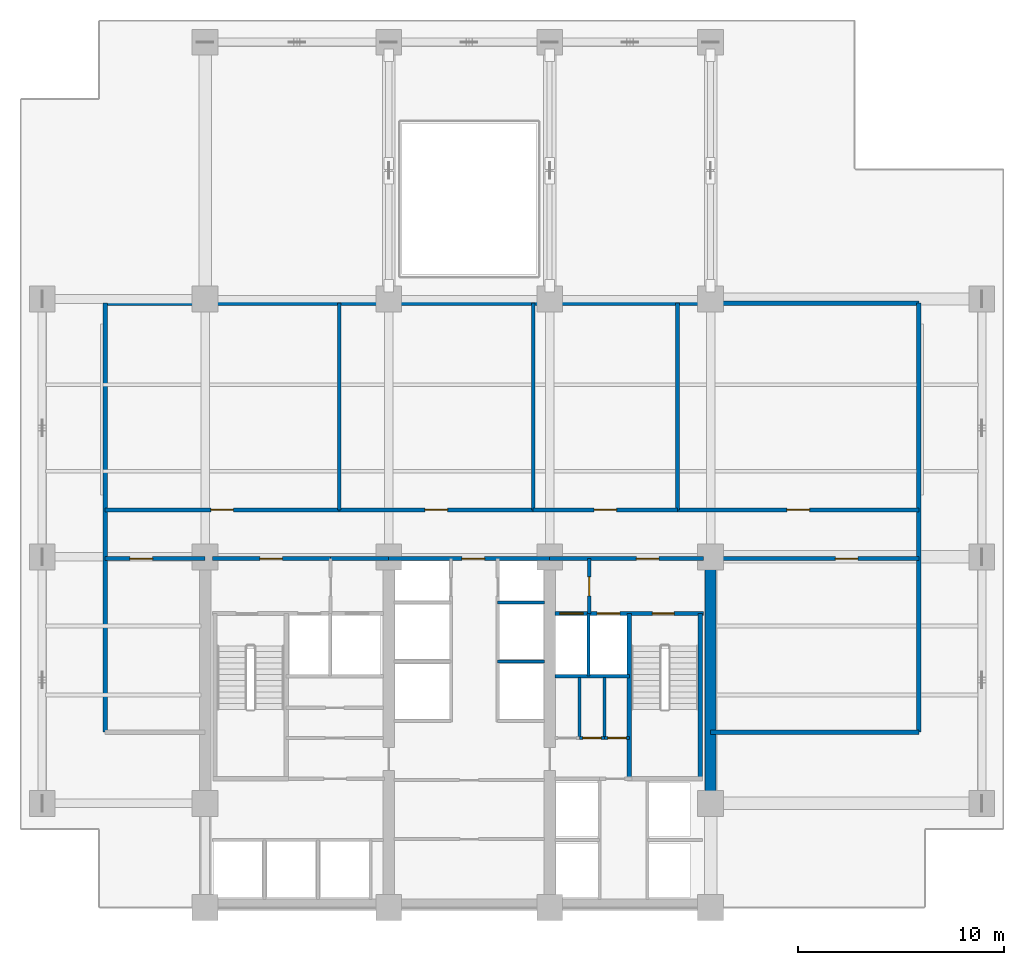
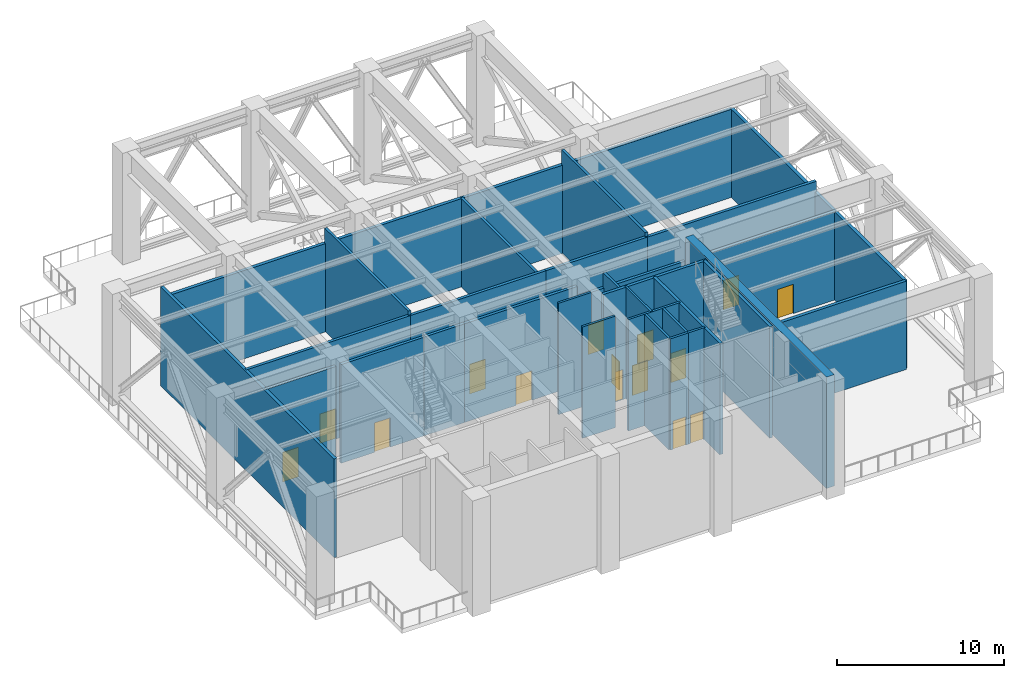
# One storey, part 4 of 7: 30 walls, 15 doors, 15 openings.
"""IFC4 building model written with IfcOpenShell, lengths in metres."""

from ifc_helpers import new_model, si_unit, direction, frame, frame_2d, origin, place, context, subcontext, project, spatial, rectangle, extrude, material, layer, layer_set, type_object, element, fill, save


model = new_model("IFC4")

# Units and contexts
model_context = context("Model", 3, precision=1e-05, world=origin(), true_north=direction((0.0, 1.0)))
body_context = subcontext(model_context, "Body", "Model", "MODEL_VIEW")
ifc_project = project(units=[si_unit("LENGTHUNIT", "METRE"), si_unit("AREAUNIT", "SQUARE_METRE"), si_unit("VOLUMEUNIT", "CUBIC_METRE"), si_unit("PLANEANGLEUNIT", "RADIAN"), si_unit("MASSUNIT", "GRAM", prefix="KILO")], contexts=[model_context])

# Site, building, storey
site_placement = place(None, origin())
site = spatial("IfcSite", under=ifc_project, at=site_placement, CompositionType="ELEMENT")
building_placement = place(site_placement, origin())
building = spatial("IfcBuilding", under=site, at=building_placement, Name="Qalmaran Belvedere Hotel", CompositionType="ELEMENT")
storey_placement = place(building_placement, frame((0.0, 0.0, 130.199951171875)))
storey = spatial("IfcBuildingStorey", under=building, at=storey_placement, Name="L33", CompositionType="ELEMENT", Elevation=130.199951171875)

# Walls
ifc_material_1 = material(Name="Concrete C60/75", Category="concrete")
ifc_layer_1 = layer(ifc_material_1, 0.550048828125, Name="Concrete C60/75")
ifc_layer_set_1 = layer_set([ifc_layer_1], Name="Concrete C60/75")
wall_type_1 = type_object("IfcWallType", Name="WL-CORE-550-C60", PredefinedType="SHEAR", material=ifc_layer_set_1)
wall_1_placement = place(storey_placement, frame((44.800048828125, 3.5, 0.0), z_axis=(0.0, 0.0, 1.0), x_axis=(0.0, 1.0, 0.0)))
element("IfcWall", 1, at=wall_1_placement, inside=storey, type_object=wall_type_1, Name="L33 East Core Shear Wall", PredefinedType="SHEAR", context=body_context, shape_type="SweptSolid", body=[
    extrude(rectangle(XDim=16.89990234375, YDim=0.550048828125, at=frame_2d((8.449951171875, 0.0))), origin(), (0.0, 0.0, 1.0), 8.150146484375),
])
ifc_material_2 = material(Name="Gypsum Stud Partition")
ifc_layer_2 = layer(ifc_material_2, 0.14990234375, Name="Gypsum Stud Partition")
ifc_layer_set_2 = layer_set([ifc_layer_2], Name="Gypsum Stud Partition")
wall_type_2 = type_object("IfcWallType", Name="WL-INT-150-EI120", PredefinedType="PARTITIONING", material=ifc_layer_set_2)
wall_2_placement = place(storey_placement, frame((38.8798828125, 14.719970703125, 0.0), z_axis=(0.0, 0.0, 1.0), x_axis=(0.0, 1.0, 0.0)))
element("IfcWall", 2, at=wall_2_placement, inside=storey, type_object=wall_type_2, Name="L33 Partition WL-FF2M-L33", PredefinedType="PARTITIONING", context=body_context, shape_type="SweptSolid", body=[
    extrude(rectangle(XDim=3.0400390625, YDim=0.14990234375, at=frame_2d((1.52001953125, 0.0))), origin(), (0.0, 0.0, 1.0), 8.150146484375),
])
for number, where, z_axis, x_axis, name in (
    (3, (34.47998046875, 15.419921875, 0.0), (0.0, 0.0, 1.0), (1.0, 0.0, 0.0), "L33 Partition WL-PME-L33-154"),
    (4, (34.47998046875, 18.280029296875, 0.0), (0.0, 0.0, 1.0), (1.0, 0.0, 0.0), "L33 Partition WL-PME-L33-182"),
):
    element("IfcWall", number, at=place(storey_placement, frame(where, z_axis=z_axis, x_axis=x_axis)), inside=storey, type_object=wall_type_2, Name=name, PredefinedType="PARTITIONING", context=body_context, shape_type="SweptSolid", body=[
        extrude(rectangle(XDim=2.27001953125, YDim=0.14990234375, at=frame_2d((1.135009765625, 0.0))), origin(), (0.0, 0.0, 1.0), 8.150146484375),
    ])
ifc_layer_3 = layer(ifc_material_2, 0.14990234375, Name="Gypsum Stud Partition")
ifc_layer_set_3 = layer_set([ifc_layer_3], Name="Gypsum Stud Partition")
wall_type_3 = type_object("IfcWallType", Name="WL-INT-150-EI60", PredefinedType="PARTITIONING", material=ifc_layer_set_3)
for number, where, z_axis, x_axis, name in (
    (5, (38.44140625, 11.719970703125, 0.0), (0.0, 0.0, 1.0), (0.0, 1.0, 0.0), "L33 Partition WL-L33-KEV1"),
    (6, (39.668701171875, 11.719970703125, 0.0), (0.0, 0.0, 1.0), (0.0, 1.0, 0.0), "L33 Partition WL-L33-KEV2"),
):
    element("IfcWall", number, at=place(storey_placement, frame(where, z_axis=z_axis, x_axis=x_axis)), inside=storey, type_object=wall_type_3, Name=name, PredefinedType="PARTITIONING", context=body_context, shape_type="SweptSolid", body=[
        extrude(rectangle(XDim=2.929931640625, YDim=0.14990234375, at=frame_2d((1.46484375, 0.0))), origin(), (0.0, 0.0, 1.0), 8.150146484375),
    ])

# Wall, opening, door
ifc_layer_4 = layer(ifc_material_2, 0.159912109375, Name="Gypsum Stud Partition")
ifc_layer_set_4 = layer_set([ifc_layer_4], Name="Gypsum Stud Partition")
wall_type_4 = type_object("IfcWallType", Name="WL-INT-160-EI120", PredefinedType="PARTITIONING", material=ifc_layer_set_4)
wall_3_placement = place(storey_placement, frame((38.919921875, 17.760009765625, 0.0), z_axis=(0.0, 0.0, 1.0), x_axis=(0.0, 1.0, 0.0)))
wall_3 = element("IfcWall", 7, at=wall_3_placement, inside=storey, type_object=wall_type_4, Name="L33 Partition WL-FFSV2-L33", PredefinedType="PARTITIONING", context=body_context, shape_type="SweptSolid", body=[
    extrude(rectangle(XDim=2.659912109375, YDim=0.159912109375, at=frame_2d((1.330078125, 0.0))), origin(), (0.0, 0.0, 1.0), 7.524169921875),
])
opening_1_placement = place(wall_3_placement, frame((1.77001953125, 0.0, 0.0), z_axis=(0.0, 0.0, 1.0), x_axis=(-1.0, 0.0, 0.0)))
opening_1 = element("IfcOpeningElement", 8, at=opening_1_placement, cuts=wall_3, Name="Opening FD60S1", PredefinedType="OPENING", context=body_context, shape_type="SweptSolid", body=[
    extrude(rectangle(XDim=0.919921875, YDim=2.080078125, at=frame_2d((0.4599609375, 1.0400390625))), frame((0.0, 0.08984375, 0.0), z_axis=(0.0, -1.0, 0.0), x_axis=(1.0, 0.0, 0.0)), (0.0, 0.0, 1.0), 0.179931640625),
])
ifc_material_3 = material(Name="Engineered Oak Veneer")
door_type_1 = type_object("IfcDoorType", Name="DR-FD60S-920X2080", OperationType="NOTDEFINED", PredefinedType="DOOR", material=ifc_material_3)
door_1_placement = place(opening_1_placement, origin())
door_1 = element("IfcDoor", 9, at=door_1_placement, inside=storey, type_object=door_type_1, Name="L33 Service Lobby East Door", OperationType="SINGLE_SWING_LEFT", OverallHeight=2.080078125, OverallWidth=0.919921875, PredefinedType="DOOR", context=body_context, shape_type="SweptSolid", body=[
    extrude(rectangle(XDim=0.919921875, YDim=2.080078125, at=frame_2d((0.4599609375, 1.0400390625))), frame((0.0, 0.02490234375, 0.0), z_axis=(0.0, -1.0, 0.0), x_axis=(1.0, 0.0, 0.0)), (0.0, 0.0, 1.0), 0.050048828125),
])
fill(opening_1, door_1)

# Wall
wall_4_placement = place(storey_placement, frame((37.25, 14.719970703125, 0.0), z_axis=(0.0, 0.0, 1.0), x_axis=(1.0, 0.0, 0.0)))
element("IfcWall", 10, at=wall_4_placement, inside=storey, type_object=wall_type_4, Name="L33 Partition WL-FF2S-L33", PredefinedType="PARTITIONING", context=body_context, shape_type="SweptSolid", body=[
    extrude(rectangle(XDim=3.610107421875, YDim=0.159912109375, at=frame_2d((1.80517578125, 0.0))), origin(), (0.0, 0.0, 1.0), 8.150146484375),
])

# Wall, opening, door
ifc_layer_5 = layer(ifc_material_2, 0.159912109375, Name="Gypsum Stud Partition")
ifc_layer_set_5 = layer_set([ifc_layer_5], Name="Gypsum Stud Partition")
wall_type_5 = type_object("IfcWallType", Name="WL-INT-160-EI60", PredefinedType="PARTITIONING", material=ifc_layer_set_5)
wall_5_placement = place(storey_placement, frame((38.44140625, 11.719970703125, 0.0), z_axis=(0.0, 0.0, 1.0), x_axis=(1.0, 0.0, 0.0)))
wall_5 = element("IfcWall", 11, at=wall_5_placement, inside=storey, type_object=wall_type_5, Name="L33 Partition WL-L33-KEE2", PredefinedType="PARTITIONING", context=body_context, shape_type="SweptSolid", body=[
    extrude(rectangle(XDim=1.227294921875, YDim=0.159912109375, at=frame_2d((0.61376953125, 0.0))), origin(), (0.0, 0.0, 1.0), 8.150146484375),
])
opening_2_placement = place(wall_5_placement, frame((0.173583984375, 0.0, 0.0)))
opening_2 = element("IfcOpeningElement", 12, at=opening_2_placement, cuts=wall_5, Name="Opening FD60B", PredefinedType="OPENING", context=body_context, shape_type="SweptSolid", body=[
    extrude(rectangle(XDim=0.8798828125, YDim=2.080078125, at=frame_2d((0.43994140625, 1.0400390625))), frame((0.0, 0.08984375, 0.0), z_axis=(0.0, -1.0, 0.0), x_axis=(1.0, 0.0, 0.0)), (0.0, 0.0, 1.0), 0.179931640625),
])
ifc_material_4 = material(Name="Steel S355JR", Category="steel")
door_type_2 = type_object("IfcDoorType", Name="DR-FD60B-880X2080", OperationType="NOTDEFINED", PredefinedType="DOOR", material=ifc_material_4)
door_2_placement = place(opening_2_placement, origin())
door_2 = element("IfcDoor", 13, at=door_2_placement, inside=storey, type_object=door_type_2, Name="L33 Smoke Control Plant Room Door", OperationType="SINGLE_SWING_RIGHT", OverallHeight=2.080078125, OverallWidth=0.8798828125, PredefinedType="DOOR", context=body_context, shape_type="SweptSolid", body=[
    extrude(rectangle(XDim=0.8798828125, YDim=2.080078125, at=frame_2d((0.43994140625, 1.0400390625))), frame((0.0, 0.02490234375, 0.0), z_axis=(0.0, -1.0, 0.0), x_axis=(1.0, 0.0, 0.0)), (0.0, 0.0, 1.0), 0.050048828125),
])
fill(opening_2, door_2)

wall_6_placement = place(storey_placement, frame((39.668701171875, 11.719970703125, 0.0), z_axis=(0.0, 0.0, 1.0), x_axis=(1.0, 0.0, 0.0)))
wall_6 = element("IfcWall", 14, at=wall_6_placement, inside=storey, type_object=wall_type_5, Name="L33 Partition WL-L33-KEE3", PredefinedType="PARTITIONING", context=body_context, shape_type="SweptSolid", body=[
    extrude(rectangle(XDim=1.19140625, YDim=0.159912109375, at=frame_2d((0.595703125, 0.0))), origin(), (0.0, 0.0, 1.0), 8.150146484375),
])
opening_3_placement = place(wall_6_placement, frame((0.155517578125, 0.0, 0.0)))
opening_3 = element("IfcOpeningElement", 15, at=opening_3_placement, cuts=wall_6, Name="Opening FD60B", PredefinedType="OPENING", context=body_context, shape_type="SweptSolid", body=[
    extrude(rectangle(XDim=0.8798828125, YDim=2.080078125, at=frame_2d((0.43994140625, 1.0400390625))), frame((0.0, 0.08984375, 0.0), z_axis=(0.0, -1.0, 0.0), x_axis=(1.0, 0.0, 0.0)), (0.0, 0.0, 1.0), 0.179931640625),
])
door_3_placement = place(opening_3_placement, origin())
door_3 = element("IfcDoor", 16, at=door_3_placement, inside=storey, type_object=door_type_2, Name="L33 Low Voltage Switch Plant Room Door", OperationType="SINGLE_SWING_LEFT", OverallHeight=2.080078125, OverallWidth=0.8798828125, PredefinedType="DOOR", context=body_context, shape_type="SweptSolid", body=[
    extrude(rectangle(XDim=0.8798828125, YDim=2.080078125, at=frame_2d((0.43994140625, 1.0400390625))), frame((0.0, 0.02490234375, 0.0), z_axis=(0.0, -1.0, 0.0), x_axis=(1.0, 0.0, 0.0)), (0.0, 0.0, 1.0), 0.050048828125),
])
fill(opening_3, door_3)

# Walls
ifc_layer_6 = layer(ifc_material_2, 0.179931640625, Name="Gypsum Stud Partition")
ifc_layer_set_6 = layer_set([ifc_layer_6], Name="Gypsum Stud Partition")
wall_type_6 = type_object("IfcWallType", Name="WL-INT-180-EI120", PredefinedType="PARTITIONING", material=ifc_layer_set_6)
wall_7_placement = place(storey_placement, frame((26.800048828125, 22.780029296875, 0.0), z_axis=(0.0, 0.0, 1.0), x_axis=(0.0, 1.0, 0.0)))
element("IfcWall", 17, at=wall_7_placement, inside=storey, type_object=wall_type_6, Name="L33 Partition WL-L33-PV1", PredefinedType="PARTITIONING", context=body_context, shape_type="SweptSolid", body=[
    extrude(rectangle(XDim=10.02001953125, YDim=0.179931640625, at=frame_2d((5.010009765625, 0.0))), origin(), (0.0, 0.0, 1.0), 7.524169921875),
])
wall_8_placement = place(storey_placement, frame((36.199951171875, 22.780029296875, 0.0), z_axis=(0.0, 0.0, 1.0), x_axis=(0.0, 1.0, 0.0)))
element("IfcWall", 18, at=wall_8_placement, inside=storey, type_object=wall_type_6, Name="L33 Partition WL-L33-PV2", PredefinedType="PARTITIONING", context=body_context, shape_type="SweptSolid", body=[
    extrude(rectangle(XDim=10.02001953125, YDim=0.179931640625, at=frame_2d((5.010009765625, 0.0))), origin(), (0.0, 0.0, 1.0), 6.455078125),
])
wall_9_placement = place(storey_placement, frame((43.199951171875, 22.780029296875, 0.0), z_axis=(0.0, 0.0, 1.0), x_axis=(0.0, 1.0, 0.0)))
element("IfcWall", 19, at=wall_9_placement, inside=storey, type_object=wall_type_6, Name="L33 Partition WL-L33-PV3", PredefinedType="PARTITIONING", context=body_context, shape_type="SweptSolid", body=[
    extrude(rectangle(XDim=10.02001953125, YDim=0.179931640625, at=frame_2d((5.010009765625, 0.0))), origin(), (0.0, 0.0, 1.0), 7.524169921875),
])

# Wall, opening, door
ifc_material_5 = material(Name="Concrete C30/37 Blockwork", Category="masonry")
ifc_layer_7 = layer(ifc_material_5, 0.199951171875, Name="Concrete C30/37 Blockwork")
ifc_layer_set_7 = layer_set([ifc_layer_7], Name="Concrete C30/37 Blockwork")
wall_type_7 = type_object("IfcWallType", Name="WL-INT-200-EI120", PredefinedType="PARTITIONING", material=ifc_layer_set_7)
wall_10_placement = place(storey_placement, frame((20.64990234375, 20.419921875, 0.0), z_axis=(0.0, 0.0, 1.0), x_axis=(1.0, 0.0, 0.0)))
wall_10 = element("IfcWall", 20, at=wall_10_placement, inside=storey, type_object=wall_type_7, Name="L33 Partition WL-CN1A-L33", PredefinedType="PARTITIONING", context=body_context, shape_type="SweptSolid", body=[
    extrude(rectangle(XDim=5.72998046875, YDim=0.199951171875, at=frame_2d((2.864990234375, 0.0))), origin(), (0.0, 0.0, 1.0), 7.22314453125),
])
opening_4_placement = place(wall_10_placement, frame((2.300048828125, 0.0, 0.0)))
opening_4 = element("IfcOpeningElement", 21, at=opening_4_placement, cuts=wall_10, Name="Opening FD90", PredefinedType="OPENING", context=body_context, shape_type="SweptSolid", body=[
    extrude(rectangle(XDim=1.10009765625, YDim=2.14990234375, at=frame_2d((0.550048828125, 1.074951171875))), frame((0.0, 0.10986328125, 0.0), z_axis=(0.0, -1.0, 0.0), x_axis=(1.0, 0.0, 0.0)), (0.0, 0.0, 1.0), 0.219970703125),
])
door_type_3 = type_object("IfcDoorType", Name="DR-FD90-1100X2150", OperationType="NOTDEFINED", PredefinedType="DOOR", material=ifc_material_4)
door_4_placement = place(opening_4_placement, origin())
door_4 = element("IfcDoor", 22, at=door_4_placement, inside=storey, type_object=door_type_3, Name="L33 FF1 Lobby Corridor Door", OperationType="SINGLE_SWING_RIGHT", OverallHeight=2.14990234375, OverallWidth=1.10009765625, PredefinedType="DOOR", context=body_context, shape_type="SweptSolid", body=[
    extrude(rectangle(XDim=1.10009765625, YDim=2.14990234375, at=frame_2d((0.550048828125, 1.074951171875))), frame((0.0, 0.02490234375, 0.0), z_axis=(0.0, -1.0, 0.0), x_axis=(1.0, 0.0, 0.0)), (0.0, 0.0, 1.0), 0.050048828125),
])
fill(opening_4, door_4)

# Wall
wall_11_placement = place(storey_placement, frame((26.3798828125, 20.419921875, 0.0), z_axis=(0.0, 0.0, 1.0), x_axis=(1.0, 0.0, 0.0)))
element("IfcWall", 23, at=wall_11_placement, inside=storey, type_object=wall_type_7, Name="L33 Partition WL-CN1B-L33", PredefinedType="PARTITIONING", context=body_context, shape_type="SweptSolid", body=[
    extrude(rectangle(XDim=2.820068359375, YDim=0.199951171875, at=frame_2d((1.41015625, 0.0))), origin(), (0.0, 0.0, 1.0), 7.22314453125),
])

# Wall, opening, door
wall_12_placement = place(storey_placement, frame((29.199951171875, 20.419921875, 0.0), z_axis=(0.0, 0.0, 1.0), x_axis=(1.0, 0.0, 0.0)))
wall_12 = element("IfcWall", 24, at=wall_12_placement, inside=storey, type_object=wall_type_7, Name="L33 Partition WL-CN2-L33", PredefinedType="PARTITIONING", context=body_context, shape_type="SweptSolid", body=[
    extrude(rectangle(XDim=7.800048828125, YDim=0.199951171875, at=frame_2d((3.89990234375, 0.0))), origin(), (0.0, 0.0, 1.0), 7.22314453125),
])
opening_5_placement = place(wall_12_placement, frame((3.550048828125, 0.0, 0.0)))
opening_5 = element("IfcOpeningElement", 25, at=opening_5_placement, cuts=wall_12, Name="Opening FD90", PredefinedType="OPENING", context=body_context, shape_type="SweptSolid", body=[
    extrude(rectangle(XDim=1.10009765625, YDim=2.14990234375, at=frame_2d((0.550048828125, 1.074951171875))), frame((0.0, 0.10986328125, 0.0), z_axis=(0.0, -1.0, 0.0), x_axis=(1.0, 0.0, 0.0)), (0.0, 0.0, 1.0), 0.219970703125),
])
door_5_placement = place(opening_5_placement, origin())
door_5 = element("IfcDoor", 26, at=door_5_placement, inside=storey, type_object=door_type_3, Name="L33 Central Lift Lobby Door", OperationType="SINGLE_SWING_LEFT", OverallHeight=2.14990234375, OverallWidth=1.10009765625, PredefinedType="DOOR", context=body_context, shape_type="SweptSolid", body=[
    extrude(rectangle(XDim=1.10009765625, YDim=2.14990234375, at=frame_2d((0.550048828125, 1.074951171875))), frame((0.0, 0.02490234375, 0.0), z_axis=(0.0, -1.0, 0.0), x_axis=(1.0, 0.0, 0.0)), (0.0, 0.0, 1.0), 0.050048828125),
])
fill(opening_5, door_5)

wall_13_placement = place(storey_placement, frame((37.0, 20.419921875, 0.0), z_axis=(0.0, 0.0, 1.0), x_axis=(1.0, 0.0, 0.0)))
wall_13 = element("IfcWall", 27, at=wall_13_placement, inside=storey, type_object=wall_type_7, Name="L33 Partition WL-CN3-L33", PredefinedType="PARTITIONING", context=body_context, shape_type="SweptSolid", body=[
    extrude(rectangle(XDim=7.449951171875, YDim=0.199951171875, at=frame_2d((3.72509765625, 0.0))), origin(), (0.0, 0.0, 1.0), 6.455078125),
])
opening_6_placement = place(wall_13_placement, frame((4.199951171875, 0.0, 0.0)))
opening_6 = element("IfcOpeningElement", 28, at=opening_6_placement, cuts=wall_13, Name="Opening FD90", PredefinedType="OPENING", context=body_context, shape_type="SweptSolid", body=[
    extrude(rectangle(XDim=1.10009765625, YDim=2.14990234375, at=frame_2d((0.550048828125, 1.074951171875))), frame((0.0, 0.10986328125, 0.0), z_axis=(0.0, -1.0, 0.0), x_axis=(1.0, 0.0, 0.0)), (0.0, 0.0, 1.0), 0.219970703125),
])
door_6_placement = place(opening_6_placement, origin())
door_6 = element("IfcDoor", 29, at=door_6_placement, inside=storey, type_object=door_type_3, Name="L33 FF2 Lobby Corridor Door", OperationType="SINGLE_SWING_RIGHT", OverallHeight=2.14990234375, OverallWidth=1.10009765625, PredefinedType="DOOR", context=body_context, shape_type="SweptSolid", body=[
    extrude(rectangle(XDim=1.10009765625, YDim=2.14990234375, at=frame_2d((0.550048828125, 1.074951171875))), frame((0.0, 0.02490234375, 0.0), z_axis=(0.0, -1.0, 0.0), x_axis=(1.0, 0.0, 0.0)), (0.0, 0.0, 1.0), 0.050048828125),
])
fill(opening_6, door_6)

wall_14_placement = place(storey_placement, frame((15.449951171875, 20.419921875, 0.0), z_axis=(0.0, 0.0, 1.0), x_axis=(1.0, 0.0, 0.0)))
wall_14 = element("IfcWall", 30, at=wall_14_placement, inside=storey, type_object=wall_type_7, Name="L33 Partition WL-L33-RFW", PredefinedType="PARTITIONING", context=body_context, shape_type="SweptSolid", body=[
    extrude(rectangle(XDim=4.85009765625, YDim=0.199951171875, at=frame_2d((2.425048828125, 0.0))), origin(), (0.0, 0.0, 1.0), 7.22314453125),
])
opening_7_placement = place(wall_14_placement, frame((2.300048828125, 0.0, 0.0), z_axis=(0.0, 0.0, 1.0), x_axis=(-1.0, 0.0, 0.0)))
opening_7 = element("IfcOpeningElement", 31, at=opening_7_placement, cuts=wall_14, Name="Opening FD90", PredefinedType="OPENING", context=body_context, shape_type="SweptSolid", body=[
    extrude(rectangle(XDim=1.10009765625, YDim=2.14990234375, at=frame_2d((0.550048828125, 1.074951171875))), frame((0.0, 0.10986328125, 0.0), z_axis=(0.0, -1.0, 0.0), x_axis=(1.0, 0.0, 0.0)), (0.0, 0.0, 1.0), 0.219970703125),
])
door_7_placement = place(opening_7_placement, origin())
door_7 = element("IfcDoor", 32, at=door_7_placement, inside=storey, type_object=door_type_3, Name="L33 Refuge West Door", OperationType="SINGLE_SWING_RIGHT", OverallHeight=2.14990234375, OverallWidth=1.10009765625, PredefinedType="DOOR", context=body_context, shape_type="SweptSolid", body=[
    extrude(rectangle(XDim=1.10009765625, YDim=2.14990234375, at=frame_2d((0.550048828125, 1.074951171875))), frame((0.0, 0.02490234375, 0.0), z_axis=(0.0, -1.0, 0.0), x_axis=(1.0, 0.0, 0.0)), (0.0, 0.0, 1.0), 0.050048828125),
])
fill(opening_7, door_7)

wall_15_placement = place(storey_placement, frame((44.800048828125, 20.419921875, 0.0), z_axis=(0.0, 0.0, 1.0), x_axis=(1.0, 0.0, 0.0)))
wall_15 = element("IfcWall", 33, at=wall_15_placement, inside=storey, type_object=wall_type_7, Name="L33 Partition WL-L33-RFE", PredefinedType="PARTITIONING", context=body_context, shape_type="SweptSolid", body=[
    extrude(rectangle(XDim=10.099853515625, YDim=0.199951171875, at=frame_2d((5.0498046875, 0.0))), origin(), (0.0, 0.0, 1.0), 6.455078125),
])
opening_8_placement = place(wall_15_placement, frame((7.145751953125, 0.0, 0.0), z_axis=(0.0, 0.0, 1.0), x_axis=(-1.0, 0.0, 0.0)))
opening_8 = element("IfcOpeningElement", 34, at=opening_8_placement, cuts=wall_15, Name="Opening FD90", PredefinedType="OPENING", context=body_context, shape_type="SweptSolid", body=[
    extrude(rectangle(XDim=1.10009765625, YDim=2.14990234375, at=frame_2d((0.550048828125, 1.074951171875))), frame((0.0, 0.10986328125, 0.0), z_axis=(0.0, -1.0, 0.0), x_axis=(1.0, 0.0, 0.0)), (0.0, 0.0, 1.0), 0.219970703125),
])
door_8_placement = place(opening_8_placement, origin())
door_8 = element("IfcDoor", 35, at=door_8_placement, inside=storey, type_object=door_type_3, Name="L33 Refuge East Door", OperationType="SINGLE_SWING_LEFT", OverallHeight=2.14990234375, OverallWidth=1.10009765625, PredefinedType="DOOR", context=body_context, shape_type="SweptSolid", body=[
    extrude(rectangle(XDim=1.10009765625, YDim=2.14990234375, at=frame_2d((0.550048828125, 1.074951171875))), frame((0.0, 0.02490234375, 0.0), z_axis=(0.0, -1.0, 0.0), x_axis=(1.0, 0.0, 0.0)), (0.0, 0.0, 1.0), 0.050048828125),
])
fill(opening_8, door_8)

wall_16_placement = place(storey_placement, frame((15.449951171875, 22.780029296875, 0.0), z_axis=(0.0, 0.0, 1.0), x_axis=(1.0, 0.0, 0.0)))
wall_16 = element("IfcWall", 36, at=wall_16_placement, inside=storey, type_object=wall_type_7, Name="L33 Partition WL-L33-PCN1", PredefinedType="PARTITIONING", context=body_context, shape_type="SweptSolid", body=[
    extrude(rectangle(XDim=11.35009765625, YDim=0.199951171875, at=frame_2d((5.675048828125, 0.0))), origin(), (0.0, 0.0, 1.0), 7.22314453125),
])
opening_9_placement = place(wall_16_placement, frame((5.125, 0.0, 0.0)))
opening_9 = element("IfcOpeningElement", 37, at=opening_9_placement, cuts=wall_16, Name="Opening FD90", PredefinedType="OPENING", context=body_context, shape_type="SweptSolid", body=[
    extrude(rectangle(XDim=1.10009765625, YDim=2.14990234375, at=frame_2d((0.550048828125, 1.074951171875))), frame((0.0, 0.10986328125, 0.0), z_axis=(0.0, -1.0, 0.0), x_axis=(1.0, 0.0, 0.0)), (0.0, 0.0, 1.0), 0.219970703125),
])
door_9_placement = place(opening_9_placement, origin())
door_9 = element("IfcDoor", 38, at=door_9_placement, inside=storey, type_object=door_type_3, Name="L33 District Cooling Heat Exchanger Plant Room Door", OperationType="SINGLE_SWING_RIGHT", OverallHeight=2.14990234375, OverallWidth=1.10009765625, PredefinedType="DOOR", context=body_context, shape_type="SweptSolid", body=[
    extrude(rectangle(XDim=1.10009765625, YDim=2.14990234375, at=frame_2d((0.550048828125, 1.074951171875))), frame((0.0, 0.02490234375, 0.0), z_axis=(0.0, -1.0, 0.0), x_axis=(1.0, 0.0, 0.0)), (0.0, 0.0, 1.0), 0.050048828125),
])
fill(opening_9, door_9)

wall_17_placement = place(storey_placement, frame((26.800048828125, 22.780029296875, 0.0), z_axis=(0.0, 0.0, 1.0), x_axis=(1.0, 0.0, 0.0)))
wall_17 = element("IfcWall", 39, at=wall_17_placement, inside=storey, type_object=wall_type_7, Name="L33 Partition WL-L33-PCN2", PredefinedType="PARTITIONING", context=body_context, shape_type="SweptSolid", body=[
    extrude(rectangle(XDim=9.39990234375, YDim=0.199951171875, at=frame_2d((4.699951171875, 0.0))), origin(), (0.0, 0.0, 1.0), 7.22314453125),
])
opening_10_placement = place(wall_17_placement, frame((4.14990234375, 0.0, 0.0)))
opening_10 = element("IfcOpeningElement", 40, at=opening_10_placement, cuts=wall_17, Name="Opening FD90", PredefinedType="OPENING", context=body_context, shape_type="SweptSolid", body=[
    extrude(rectangle(XDim=1.10009765625, YDim=2.14990234375, at=frame_2d((0.550048828125, 1.074951171875))), frame((0.0, 0.10986328125, 0.0), z_axis=(0.0, -1.0, 0.0), x_axis=(1.0, 0.0, 0.0)), (0.0, 0.0, 1.0), 0.219970703125),
])
door_10_placement = place(opening_10_placement, origin())
door_10 = element("IfcDoor", 41, at=door_10_placement, inside=storey, type_object=door_type_3, Name="L33 Supply and Extract AHU Plant Room Door", OperationType="SINGLE_SWING_LEFT", OverallHeight=2.14990234375, OverallWidth=1.10009765625, PredefinedType="DOOR", context=body_context, shape_type="SweptSolid", body=[
    extrude(rectangle(XDim=1.10009765625, YDim=2.14990234375, at=frame_2d((0.550048828125, 1.074951171875))), frame((0.0, 0.02490234375, 0.0), z_axis=(0.0, -1.0, 0.0), x_axis=(1.0, 0.0, 0.0)), (0.0, 0.0, 1.0), 0.050048828125),
])
fill(opening_10, door_10)

wall_18_placement = place(storey_placement, frame((36.199951171875, 22.780029296875, 0.0), z_axis=(0.0, 0.0, 1.0), x_axis=(1.0, 0.0, 0.0)))
wall_18 = element("IfcWall", 42, at=wall_18_placement, inside=storey, type_object=wall_type_7, Name="L33 Partition WL-L33-PCN3", PredefinedType="PARTITIONING", context=body_context, shape_type="SweptSolid", body=[
    extrude(rectangle(XDim=7.0, YDim=0.199951171875, at=frame_2d((3.5, 0.0))), origin(), (0.0, 0.0, 1.0), 7.22314453125),
])
opening_11_placement = place(wall_18_placement, frame((2.949951171875, 0.0, 0.0)))
opening_11 = element("IfcOpeningElement", 43, at=opening_11_placement, cuts=wall_18, Name="Opening FD90", PredefinedType="OPENING", context=body_context, shape_type="SweptSolid", body=[
    extrude(rectangle(XDim=1.10009765625, YDim=2.14990234375, at=frame_2d((0.550048828125, 1.074951171875))), frame((0.0, 0.10986328125, 0.0), z_axis=(0.0, -1.0, 0.0), x_axis=(1.0, 0.0, 0.0)), (0.0, 0.0, 1.0), 0.219970703125),
])
door_11_placement = place(opening_11_placement, origin())
door_11 = element("IfcDoor", 44, at=door_11_placement, inside=storey, type_object=door_type_3, Name="L33 Domestic and Fire Booster Pump Plant Room Door", OperationType="SINGLE_SWING_RIGHT", OverallHeight=2.14990234375, OverallWidth=1.10009765625, PredefinedType="DOOR", context=body_context, shape_type="SweptSolid", body=[
    extrude(rectangle(XDim=1.10009765625, YDim=2.14990234375, at=frame_2d((0.550048828125, 1.074951171875))), frame((0.0, 0.02490234375, 0.0), z_axis=(0.0, -1.0, 0.0), x_axis=(1.0, 0.0, 0.0)), (0.0, 0.0, 1.0), 0.050048828125),
])
fill(opening_11, door_11)

wall_19_placement = place(storey_placement, frame((43.199951171875, 22.780029296875, 0.0), z_axis=(0.0, 0.0, 1.0), x_axis=(1.0, 0.0, 0.0)))
wall_19 = element("IfcWall", 45, at=wall_19_placement, inside=storey, type_object=wall_type_7, Name="L33 Partition WL-L33-PCN4", PredefinedType="PARTITIONING", context=body_context, shape_type="SweptSolid", body=[
    extrude(rectangle(XDim=11.699951171875, YDim=0.199951171875, at=frame_2d((5.85009765625, 0.0))), origin(), (0.0, 0.0, 1.0), 7.22314453125),
])
opening_12_placement = place(wall_19_placement, frame((5.300048828125, 0.0, 0.0)))
opening_12 = element("IfcOpeningElement", 46, at=opening_12_placement, cuts=wall_19, Name="Opening FD90", PredefinedType="OPENING", context=body_context, shape_type="SweptSolid", body=[
    extrude(rectangle(XDim=1.10009765625, YDim=2.14990234375, at=frame_2d((0.550048828125, 1.074951171875))), frame((0.0, 0.10986328125, 0.0), z_axis=(0.0, -1.0, 0.0), x_axis=(1.0, 0.0, 0.0)), (0.0, 0.0, 1.0), 0.219970703125),
])
door_12_placement = place(opening_12_placement, origin())
door_12 = element("IfcDoor", 47, at=door_12_placement, inside=storey, type_object=door_type_3, Name="L33 HV Transformer Substation Plant Room Door", OperationType="SINGLE_SWING_LEFT", OverallHeight=2.14990234375, OverallWidth=1.10009765625, PredefinedType="DOOR", context=body_context, shape_type="SweptSolid", body=[
    extrude(rectangle(XDim=1.10009765625, YDim=2.14990234375, at=frame_2d((0.550048828125, 1.074951171875))), frame((0.0, 0.02490234375, 0.0), z_axis=(0.0, -1.0, 0.0), x_axis=(1.0, 0.0, 0.0)), (0.0, 0.0, 1.0), 0.050048828125),
])
fill(opening_12, door_12)

# Walls
ifc_layer_8 = layer(ifc_material_5, 0.219970703125, Name="Concrete C30/37 Blockwork")
ifc_layer_set_8 = layer_set([ifc_layer_8], Name="Concrete C30/37 Blockwork")
wall_type_8 = type_object("IfcWallType", Name="WL-INT-220-EI120", PredefinedType="PARTITIONING", material=ifc_layer_set_8)
wall_20_placement = place(storey_placement, frame((15.449951171875, 12.0, 0.0), z_axis=(0.0, 0.0, 1.0), x_axis=(0.0, 1.0, 0.0)))
element("IfcWall", 48, at=wall_20_placement, inside=storey, type_object=wall_type_8, Name="L33 Partition WL-L33-PRW", PredefinedType="PARTITIONING", context=body_context, shape_type="SweptSolid", body=[
    extrude(rectangle(XDim=20.800048828125, YDim=0.219970703125, at=frame_2d((10.39990234375, 0.0))), origin(), (0.0, 0.0, 1.0), 7.22314453125),
])
wall_21_placement = place(storey_placement, frame((54.89990234375, 12.0, 0.0), z_axis=(0.0, 0.0, 1.0), x_axis=(0.0, 1.0, 0.0)))
element("IfcWall", 49, at=wall_21_placement, inside=storey, type_object=wall_type_8, Name="L33 Partition WL-L33-PRE", PredefinedType="PARTITIONING", context=body_context, shape_type="SweptSolid", body=[
    extrude(rectangle(XDim=20.800048828125, YDim=0.219970703125, at=frame_2d((10.39990234375, 0.0))), origin(), (0.0, 0.0, 1.0), 6.455078125),
])
wall_22_placement = place(storey_placement, frame((44.800048828125, 12.0, 0.0), z_axis=(0.0, 0.0, 1.0), x_axis=(1.0, 0.0, 0.0)))
element("IfcWall", 50, at=wall_22_placement, inside=storey, type_object=wall_type_8, Name="L33 Partition WL-L33-PRSE", PredefinedType="PARTITIONING", context=body_context, shape_type="SweptSolid", body=[
    extrude(rectangle(XDim=10.099853515625, YDim=0.219970703125, at=frame_2d((5.0498046875, 0.0))), origin(), (0.0, 0.0, 1.0), 6.455078125),
])
wall_23_placement = place(storey_placement, frame((15.449951171875, 32.800048828125, 0.0), z_axis=(0.0, 0.0, 1.0), x_axis=(1.0, 0.0, 0.0)))
element("IfcWall", 51, at=wall_23_placement, inside=storey, type_object=wall_type_8, Name="L33 Partition WL-L33-PRN", PredefinedType="PARTITIONING", context=body_context, shape_type="SweptSolid", body=[
    extrude(rectangle(XDim=39.449951171875, YDim=0.219970703125, at=frame_2d((19.72509765625, 0.0))), origin(), (0.0, 0.0, 1.0), 6.455078125),
])
ifc_material_6 = material(Name="Concrete C50/60", Category="concrete")
ifc_layer_9 = layer(ifc_material_6, 0.2099609375, Name="Concrete C50/60")
ifc_layer_set_9 = layer_set([ifc_layer_9], Name="Concrete C50/60")
wall_type_9 = type_object("IfcWallType", Name="WL-STAIR-210-C50", PredefinedType="SHEAR", material=ifc_layer_set_9)
for number, where, z_axis, x_axis, name in (
    (52, (40.85498046875, 9.7451171875, 0.0), (0.0, 0.0, 1.0), (0.0, 1.0, 0.0), "L33 Stair ST-2 West Bearing Wall"),
    (53, (44.304931640625, 9.7451171875, 0.0), (0.0, 0.0, 1.0), (0.0, 1.0, 0.0), "L33 Stair ST-2 East Bearing Wall"),
):
    element("IfcWall", number, at=place(storey_placement, frame(where, z_axis=z_axis, x_axis=x_axis)), inside=storey, type_object=wall_type_9, Name=name, PredefinedType="SHEAR", context=body_context, shape_type="SweptSolid", body=[
        extrude(rectangle(XDim=8.009765625, YDim=0.2099609375, at=frame_2d((4.0048828125, 0.0))), origin(), (0.0, 0.0, 1.0), 8.150146484375),
    ])

# Wall, openings, doors
wall_24_placement = place(storey_placement, frame((37.25, 17.7548828125, 0.0), z_axis=(0.0, 0.0, 1.0), x_axis=(1.0, 0.0, 0.0)))
wall_24 = element("IfcWall", 54, at=wall_24_placement, inside=storey, type_object=wall_type_9, Name="L33 East Lobby and Stair ST-2 North Bearing Wall", PredefinedType="SHEAR", context=body_context, shape_type="SweptSolid", body=[
    extrude(rectangle(XDim=7.199951171875, YDim=0.2099609375, at=frame_2d((3.60009765625, 0.0))), origin(), (0.0, 0.0, 1.0), 8.150146484375),
])
opening_13_placement = place(wall_24_placement, frame((0.25, 0.0, 0.0)))
opening_13 = element("IfcOpeningElement", 55, at=opening_13_placement, cuts=wall_24, Name="Opening LD-SV", PredefinedType="OPENING", context=body_context, shape_type="SweptSolid", body=[
    extrude(rectangle(XDim=1.1201171875, YDim=2.199951171875, at=frame_2d((0.56005859375, 1.10009765625))), frame((0.0, 0.114990234375, 0.0), z_axis=(0.0, -1.0, 0.0), x_axis=(1.0, 0.0, 0.0)), (0.0, 0.0, 1.0), 0.22998046875),
])
opening_14_placement = place(wall_24_placement, frame((2.050048828125, 0.0, 0.0)))
opening_14 = element("IfcOpeningElement", 56, at=opening_14_placement, cuts=wall_24, Name="Opening LD-FF", PredefinedType="OPENING", context=body_context, shape_type="SweptSolid", body=[
    extrude(rectangle(XDim=1.10009765625, YDim=2.179931640625, at=frame_2d((0.550048828125, 1.08984375))), frame((0.0, 0.114990234375, 0.0), z_axis=(0.0, -1.0, 0.0), x_axis=(1.0, 0.0, 0.0)), (0.0, 0.0, 1.0), 0.22998046875),
])
opening_15_placement = place(wall_24_placement, frame((5.780029296875, 0.0, 0.0), z_axis=(0.0, 0.0, 1.0), x_axis=(-1.0, 0.0, 0.0)))
opening_15 = element("IfcOpeningElement", 57, at=opening_15_placement, cuts=wall_24, Name="Opening FD90S2", PredefinedType="OPENING", context=body_context, shape_type="SweptSolid", body=[
    extrude(rectangle(XDim=1.050048828125, YDim=2.14990234375, at=frame_2d((0.52490234375, 1.074951171875))), frame((0.0, 0.114990234375, 0.0), z_axis=(0.0, -1.0, 0.0), x_axis=(1.0, 0.0, 0.0)), (0.0, 0.0, 1.0), 0.22998046875),
])
door_type_4 = type_object("IfcDoorType", Name="DR-FD90S-1050X2150", OperationType="NOTDEFINED", PredefinedType="DOOR", material=ifc_material_4)
door_13_placement = place(opening_15_placement, origin())
door_13 = element("IfcDoor", 58, at=door_13_placement, inside=storey, type_object=door_type_4, Name="L33 Stair ST-2 Door", OperationType="SINGLE_SWING_LEFT", OverallHeight=2.14990234375, OverallWidth=1.050048828125, PredefinedType="DOOR", context=body_context, shape_type="SweptSolid", body=[
    extrude(rectangle(XDim=1.050048828125, YDim=2.14990234375, at=frame_2d((0.52490234375, 1.074951171875))), frame((0.0, 0.02490234375, 0.0), z_axis=(0.0, -1.0, 0.0), x_axis=(1.0, 0.0, 0.0)), (0.0, 0.0, 1.0), 0.050048828125),
])
fill(opening_15, door_13)
ifc_material_7 = material(Name="Stainless Steel 1.4401", Category="steel")
door_type_5 = type_object("IfcDoorType", Name="DR-LIFT-FF-1100X2180", OperationType="DOUBLE_DOOR_SLIDING", PredefinedType="DOOR", material=ifc_material_7)
door_14_placement = place(opening_14_placement, origin())
door_14 = element("IfcDoor", 59, at=door_14_placement, inside=storey, type_object=door_type_5, Name="L33 FF2 Lift Landing Door", OperationType="DOUBLE_DOOR_SLIDING", OverallHeight=2.179931640625, OverallWidth=1.10009765625, PredefinedType="DOOR", context=body_context, shape_type="SweptSolid", body=[
    extrude(rectangle(XDim=1.10009765625, YDim=2.179931640625, at=frame_2d((0.550048828125, 1.08984375))), frame((0.0, 0.02490234375, 0.0), z_axis=(0.0, -1.0, 0.0), x_axis=(1.0, 0.0, 0.0)), (0.0, 0.0, 1.0), 0.050048828125),
])
fill(opening_14, door_14)
door_type_6 = type_object("IfcDoorType", Name="DR-LIFT-SV-1120X2200", OperationType="DOUBLE_DOOR_SLIDING", PredefinedType="DOOR", material=ifc_material_7)
door_15_placement = place(opening_13_placement, origin())
door_15 = element("IfcDoor", 60, at=door_15_placement, inside=storey, type_object=door_type_6, Name="L33 SV2 Lift Landing Door", OperationType="DOUBLE_DOOR_SLIDING", OverallHeight=2.199951171875, OverallWidth=1.1201171875, PredefinedType="DOOR", context=body_context, shape_type="SweptSolid", body=[
    extrude(rectangle(XDim=1.1201171875, YDim=2.199951171875, at=frame_2d((0.56005859375, 1.10009765625))), frame((0.0, 0.02490234375, 0.0), z_axis=(0.0, -1.0, 0.0), x_axis=(1.0, 0.0, 0.0)), (0.0, 0.0, 1.0), 0.050048828125),
])
fill(opening_13, door_15)

save(model, "model.ifc")
